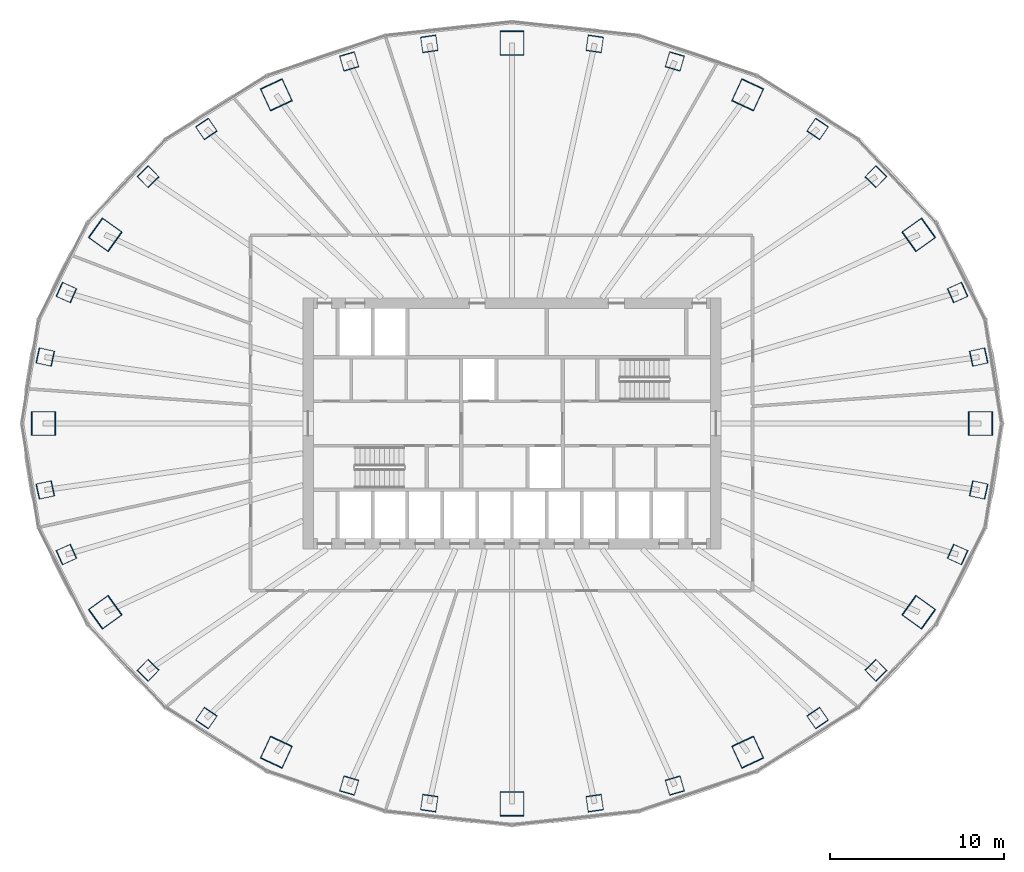
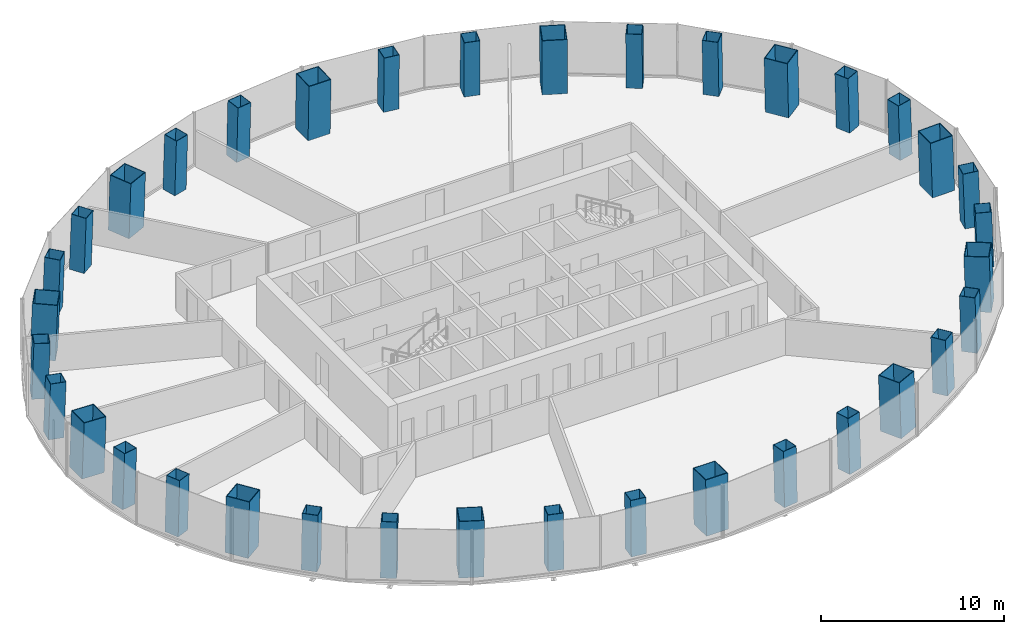
# One storey, part 1 of 11: 36 columns.
"""IFC4 building model written with IfcOpenShell, lengths in metres."""

from ifc_helpers import new_model, si_unit, direction, frame, origin, origin_2d, place, context, subcontext, project, spatial, hollow_rectangle, extrude, material, material_profile, profile_set, type_object, element, save


model = new_model("IFC4")

# Units and contexts
model_context = context("Model", 3, precision=1e-05, world=origin(), true_north=direction((0.0, 1.0)))
body_context = subcontext(model_context, "Body", "Model", "MODEL_VIEW")
ifc_project = project(units=[si_unit("LENGTHUNIT", "METRE"), si_unit("AREAUNIT", "SQUARE_METRE"), si_unit("VOLUMEUNIT", "CUBIC_METRE"), si_unit("PLANEANGLEUNIT", "RADIAN"), si_unit("MASSUNIT", "GRAM", prefix="KILO")], contexts=[model_context])

# Site, building, storey
site_placement = place(None, origin())
site = spatial("IfcSite", under=ifc_project, at=site_placement, CompositionType="ELEMENT")
building_placement = place(site_placement, origin())
building = spatial("IfcBuilding", under=site, at=building_placement, Name="Siaravel Broadcast Tower", CompositionType="ELEMENT")
storey_placement = place(building_placement, frame((0.0, 0.0, 44.5)))
storey = spatial("IfcBuildingStorey", under=building, at=storey_placement, Name="L09", CompositionType="ELEMENT", Elevation=44.5)

# Columns
ifc_material = material(Name="Concrete C70/85", Category="concrete")
ifc_material_profile_1 = material_profile(ifc_material, hollow_rectangle(XDim=1.39990234375, YDim=1.39990234375, WallThickness=0.0400390625, at=origin_2d()))
ifc_profile_set_1 = profile_set([ifc_material_profile_1], Name="Concrete C70/85")
column_type_1 = type_object("IfcColumnType", Name="COL-CFT BOX 1400x1400x40", PredefinedType="COLUMN", material=ifc_profile_set_1)
column_1_placement = place(storey_placement, frame((26.902099609375, 0.0, 0.0), z_axis=(-0.034621265, 0.0, 0.999400504), x_axis=(0.0, -1.0, 0.0)))
element("IfcColumn", 1, at=column_1_placement, inside=storey, type_object=column_type_1, Name="Megacolumn MC01", PredefinedType="COLUMN", context=body_context, shape_type="SweptSolid", body=[
    extrude(hollow_rectangle(XDim=1.39990234375, YDim=1.39990234375, WallThickness=0.0400390625, at=origin_2d()), origin(), (0.0, 0.0, 1.0), 3.7021484375),
])
column_2_placement = place(storey_placement, frame((23.351318359375, 10.834716796875, 0.0), z_axis=(-0.029940667, -0.01417895, 0.999451106), x_axis=(0.582428131, -0.812860672, 0.005916023)))
element("IfcColumn", 2, at=column_2_placement, inside=storey, type_object=column_type_1, Name="Megacolumn MC02", PredefinedType="COLUMN", context=body_context, shape_type="SweptSolid", body=[
    extrude(hollow_rectangle(XDim=1.39990234375, YDim=1.39990234375, WallThickness=0.0400390625, at=origin_2d()), origin(), (0.0, 0.0, 1.0), 3.701904296875),
])
column_3_placement = place(storey_placement, frame((13.53076171875, 18.869384765625, 0.0), z_axis=(-0.017280265, -0.024469383, 0.99955122), x_axis=(0.907021697, -0.421049606, 0.005373163)))
element("IfcColumn", 3, at=column_3_placement, inside=storey, type_object=column_type_1, Name="Megacolumn MC03", PredefinedType="COLUMN", context=body_context, shape_type="SweptSolid", body=[
    extrude(hollow_rectangle(XDim=1.39990234375, YDim=1.39990234375, WallThickness=0.0400390625, at=origin_2d()), origin(), (0.0, 0.0, 1.0), 3.70166015625),
])
column_4_placement = place(storey_placement, frame((0.0, 21.8369140625, 0.0), z_axis=(0.0, -0.02836206, 0.999597716), x_axis=(1.0, 0.0, 0.0)))
element("IfcColumn", 4, at=column_4_placement, inside=storey, type_object=column_type_1, Name="Megacolumn MC04", PredefinedType="COLUMN", context=body_context, shape_type="SweptSolid", body=[
    extrude(hollow_rectangle(XDim=1.39990234375, YDim=1.39990234375, WallThickness=0.0400390625, at=origin_2d()), origin(), (0.0, 0.0, 1.0), 3.701416015625),
])
column_5_placement = place(storey_placement, frame((-13.53076171875, 18.869384765625, 0.0), z_axis=(0.017280265, -0.024469383, 0.99955122), x_axis=(0.907021697, 0.421049606, -0.005373163)))
element("IfcColumn", 5, at=column_5_placement, inside=storey, type_object=column_type_1, Name="Megacolumn MC05", PredefinedType="COLUMN", context=body_context, shape_type="SweptSolid", body=[
    extrude(hollow_rectangle(XDim=1.39990234375, YDim=1.39990234375, WallThickness=0.0400390625, at=origin_2d()), origin(), (0.0, 0.0, 1.0), 3.70166015625),
])
column_6_placement = place(storey_placement, frame((-23.351318359375, 10.834716796875, 0.0), z_axis=(0.029940667, -0.01417895, 0.999451106), x_axis=(0.582428131, 0.812860672, -0.005916023)))
element("IfcColumn", 6, at=column_6_placement, inside=storey, type_object=column_type_1, Name="Megacolumn MC06", PredefinedType="COLUMN", context=body_context, shape_type="SweptSolid", body=[
    extrude(hollow_rectangle(XDim=1.39990234375, YDim=1.39990234375, WallThickness=0.0400390625, at=origin_2d()), origin(), (0.0, 0.0, 1.0), 3.701904296875),
])
column_7_placement = place(storey_placement, frame((-26.902099609375, 0.0, 0.0), z_axis=(0.034621265, 0.0, 0.999400504), x_axis=(0.0, 1.0, 0.0)))
element("IfcColumn", 7, at=column_7_placement, inside=storey, type_object=column_type_1, Name="Megacolumn MC07", PredefinedType="COLUMN", context=body_context, shape_type="SweptSolid", body=[
    extrude(hollow_rectangle(XDim=1.39990234375, YDim=1.39990234375, WallThickness=0.0400390625, at=origin_2d()), origin(), (0.0, 0.0, 1.0), 3.7021484375),
])
column_8_placement = place(storey_placement, frame((-23.351318359375, -10.834716796875, 0.0), z_axis=(0.029940667, 0.01417895, 0.999451106), x_axis=(-0.582428131, 0.812860672, 0.005916023)))
element("IfcColumn", 8, at=column_8_placement, inside=storey, type_object=column_type_1, Name="Megacolumn MC08", PredefinedType="COLUMN", context=body_context, shape_type="SweptSolid", body=[
    extrude(hollow_rectangle(XDim=1.39990234375, YDim=1.39990234375, WallThickness=0.0400390625, at=origin_2d()), origin(), (0.0, 0.0, 1.0), 3.701904296875),
])
column_9_placement = place(storey_placement, frame((-13.53076171875, -18.869384765625, 0.0), z_axis=(0.017280265, 0.024469383, 0.99955122), x_axis=(-0.907021697, 0.421049606, 0.005373163)))
element("IfcColumn", 9, at=column_9_placement, inside=storey, type_object=column_type_1, Name="Megacolumn MC09", PredefinedType="COLUMN", context=body_context, shape_type="SweptSolid", body=[
    extrude(hollow_rectangle(XDim=1.39990234375, YDim=1.39990234375, WallThickness=0.0400390625, at=origin_2d()), origin(), (0.0, 0.0, 1.0), 3.70166015625),
])
column_10_placement = place(storey_placement, frame((0.0, -21.8369140625, 0.0), z_axis=(0.0, 0.02836206, 0.999597716), x_axis=(-1.0, 0.0, 0.0)))
element("IfcColumn", 10, at=column_10_placement, inside=storey, type_object=column_type_1, Name="Megacolumn MC10", PredefinedType="COLUMN", context=body_context, shape_type="SweptSolid", body=[
    extrude(hollow_rectangle(XDim=1.39990234375, YDim=1.39990234375, WallThickness=0.0400390625, at=origin_2d()), origin(), (0.0, 0.0, 1.0), 3.701416015625),
])
column_11_placement = place(storey_placement, frame((13.53076171875, -18.869384765625, 0.0), z_axis=(-0.017280265, 0.024469383, 0.99955122), x_axis=(-0.907021697, -0.421049606, -0.005373163)))
element("IfcColumn", 11, at=column_11_placement, inside=storey, type_object=column_type_1, Name="Megacolumn MC11", PredefinedType="COLUMN", context=body_context, shape_type="SweptSolid", body=[
    extrude(hollow_rectangle(XDim=1.39990234375, YDim=1.39990234375, WallThickness=0.0400390625, at=origin_2d()), origin(), (0.0, 0.0, 1.0), 3.70166015625),
])
column_12_placement = place(storey_placement, frame((23.351318359375, -10.834716796875, 0.0), z_axis=(-0.029940667, 0.01417895, 0.999451106), x_axis=(-0.582428131, -0.812860672, -0.005916023)))
element("IfcColumn", 12, at=column_12_placement, inside=storey, type_object=column_type_1, Name="Megacolumn MC12", PredefinedType="COLUMN", context=body_context, shape_type="SweptSolid", body=[
    extrude(hollow_rectangle(XDim=1.39990234375, YDim=1.39990234375, WallThickness=0.0400390625, at=origin_2d()), origin(), (0.0, 0.0, 1.0), 3.701904296875),
])
ifc_material_profile_2 = material_profile(ifc_material, hollow_rectangle(XDim=0.89990234375, YDim=0.89990234375, WallThickness=0.02490234375, at=origin_2d()))
ifc_profile_set_2 = profile_set([ifc_material_profile_2], Name="Concrete C70/85")
column_type_2 = type_object("IfcColumnType", Name="COL-CFT BOX 900x900x25", PredefinedType="COLUMN", material=ifc_profile_set_2)
for number, where, z_axis, x_axis, name in (
    (13, (26.794677734375, 3.814697265625, 0.0), (-0.034093903, -0.004945924, 0.999406396), (0.212992111, -0.977050895, 0.002430756), "Perimeter column C01"),
    (14, (25.582275390625, 7.52001953125, 0.0), (-0.032511791, -0.009694185, 0.999424337), (0.409535631, -0.912283155, 0.00447347), "Perimeter column C02"),
):
    element("IfcColumn", number, at=place(storey_placement, frame(where, z_axis=z_axis, x_axis=x_axis)), inside=storey, type_object=column_type_2, Name=name, PredefinedType="COLUMN", context=body_context, shape_type="SweptSolid", body=[
        extrude(hollow_rectangle(XDim=0.89990234375, YDim=0.89990234375, WallThickness=0.02490234375, at=origin_2d()), origin(), (0.0, 0.0, 1.0), 3.7021484375),
    ])
column_13_placement = place(storey_placement, frame((20.89208984375, 14.171142578125, 0.0), z_axis=(-0.026512147, -0.01826832, 0.999481553), x_axis=(0.720586322, -0.693335315, 0.006441559)))
element("IfcColumn", 15, at=column_13_placement, inside=storey, type_object=column_type_2, Name="Perimeter column C03", PredefinedType="COLUMN", context=body_context, shape_type="SweptSolid", body=[
    extrude(hollow_rectangle(XDim=0.89990234375, YDim=0.89990234375, WallThickness=0.02490234375, at=origin_2d()), origin(), (0.0, 0.0, 1.0), 3.701904296875),
])
column_14_placement = place(storey_placement, frame((17.54638671875, 16.911376953125, 0.0), z_axis=(-0.022292076, -0.0216985, 0.999516002), x_axis=(0.826824084, -0.562426093, 0.006230838)))
element("IfcColumn", 16, at=column_14_placement, inside=storey, type_object=column_type_2, Name="Perimeter column C04", PredefinedType="COLUMN", context=body_context, shape_type="SweptSolid", body=[
    extrude(hollow_rectangle(XDim=0.89990234375, YDim=0.89990234375, WallThickness=0.02490234375, at=origin_2d()), origin(), (0.0, 0.0, 1.0), 3.70166015625),
])
for number, where, z_axis, x_axis, name in (
    (17, (9.3486328125, 20.787109375, 0.0), (-0.011806266, -0.026646544, 0.999575197), (0.959867378, -0.280427716, 0.00386166), "Perimeter column C05"),
    (18, (4.748291015625, 21.796630859375, 0.0), (-0.006068129, -0.027900201, 0.999592295), (0.989771581, -0.1426468, 0.002027013), "Perimeter column C06"),
    (19, (-4.748291015625, 21.796630859375, 0.0), (0.006068129, -0.027900201, 0.999592295), (0.989771581, 0.1426468, -0.002027013), "Perimeter column C07"),
    (20, (-9.3486328125, 20.787109375, 0.0), (0.011806266, -0.026646544, 0.999575197), (0.959867378, 0.280427716, -0.00386166), "Perimeter column C08"),
):
    element("IfcColumn", number, at=place(storey_placement, frame(where, z_axis=z_axis, x_axis=x_axis)), inside=storey, type_object=column_type_2, Name=name, PredefinedType="COLUMN", context=body_context, shape_type="SweptSolid", body=[
        extrude(hollow_rectangle(XDim=0.89990234375, YDim=0.89990234375, WallThickness=0.02490234375, at=origin_2d()), origin(), (0.0, 0.0, 1.0), 3.701416015625),
    ])
column_15_placement = place(storey_placement, frame((-17.54638671875, 16.911376953125, 0.0), z_axis=(0.022292076, -0.0216985, 0.999516002), x_axis=(0.826824084, 0.562426093, -0.006230838)))
element("IfcColumn", 21, at=column_15_placement, inside=storey, type_object=column_type_2, Name="Perimeter column C09", PredefinedType="COLUMN", context=body_context, shape_type="SweptSolid", body=[
    extrude(hollow_rectangle(XDim=0.89990234375, YDim=0.89990234375, WallThickness=0.02490234375, at=origin_2d()), origin(), (0.0, 0.0, 1.0), 3.70166015625),
])
column_16_placement = place(storey_placement, frame((-20.89208984375, 14.171142578125, 0.0), z_axis=(0.026512147, -0.01826832, 0.999481553), x_axis=(0.720586322, 0.693335315, -0.006441559)))
element("IfcColumn", 22, at=column_16_placement, inside=storey, type_object=column_type_2, Name="Perimeter column C10", PredefinedType="COLUMN", context=body_context, shape_type="SweptSolid", body=[
    extrude(hollow_rectangle(XDim=0.89990234375, YDim=0.89990234375, WallThickness=0.02490234375, at=origin_2d()), origin(), (0.0, 0.0, 1.0), 3.701904296875),
])
for number, where, z_axis, x_axis, name in (
    (23, (-25.582275390625, 7.52001953125, 0.0), (0.032511791, -0.009694185, 0.999424337), (0.409535631, 0.912283155, -0.00447347), "Perimeter column C11"),
    (24, (-26.794677734375, 3.814697265625, 0.0), (0.034093903, -0.004945924, 0.999406396), (0.212992111, 0.977050895, -0.002430756), "Perimeter column C12"),
    (25, (-26.794677734375, -3.814697265625, 0.0), (0.034093903, 0.004945924, 0.999406396), (-0.212992111, 0.977050895, 0.002430756), "Perimeter column C13"),
    (26, (-25.582275390625, -7.52001953125, 0.0), (0.032511791, 0.009694185, 0.999424337), (-0.409535631, 0.912283155, 0.00447347), "Perimeter column C14"),
):
    element("IfcColumn", number, at=place(storey_placement, frame(where, z_axis=z_axis, x_axis=x_axis)), inside=storey, type_object=column_type_2, Name=name, PredefinedType="COLUMN", context=body_context, shape_type="SweptSolid", body=[
        extrude(hollow_rectangle(XDim=0.89990234375, YDim=0.89990234375, WallThickness=0.02490234375, at=origin_2d()), origin(), (0.0, 0.0, 1.0), 3.7021484375),
    ])
column_17_placement = place(storey_placement, frame((-20.89208984375, -14.171142578125, 0.0), z_axis=(0.026512147, 0.01826832, 0.999481553), x_axis=(-0.720586322, 0.693335315, 0.006441559)))
element("IfcColumn", 27, at=column_17_placement, inside=storey, type_object=column_type_2, Name="Perimeter column C15", PredefinedType="COLUMN", context=body_context, shape_type="SweptSolid", body=[
    extrude(hollow_rectangle(XDim=0.89990234375, YDim=0.89990234375, WallThickness=0.02490234375, at=origin_2d()), origin(), (0.0, 0.0, 1.0), 3.701904296875),
])
column_18_placement = place(storey_placement, frame((-17.54638671875, -16.911376953125, 0.0), z_axis=(0.022292076, 0.0216985, 0.999516002), x_axis=(-0.826824084, 0.562426093, 0.006230838)))
element("IfcColumn", 28, at=column_18_placement, inside=storey, type_object=column_type_2, Name="Perimeter column C16", PredefinedType="COLUMN", context=body_context, shape_type="SweptSolid", body=[
    extrude(hollow_rectangle(XDim=0.89990234375, YDim=0.89990234375, WallThickness=0.02490234375, at=origin_2d()), origin(), (0.0, 0.0, 1.0), 3.70166015625),
])
for number, where, z_axis, x_axis, name in (
    (29, (-9.3486328125, -20.787109375, 0.0), (0.011806266, 0.026646544, 0.999575197), (-0.959867378, 0.280427716, 0.00386166), "Perimeter column C17"),
    (30, (-4.748291015625, -21.796630859375, 0.0), (0.006068129, 0.027900201, 0.999592295), (-0.989771581, 0.1426468, 0.002027013), "Perimeter column C18"),
    (31, (4.748291015625, -21.796630859375, 0.0), (-0.006068129, 0.027900201, 0.999592295), (-0.989771581, -0.1426468, -0.002027013), "Perimeter column C19"),
    (32, (9.3486328125, -20.787109375, 0.0), (-0.011806266, 0.026646544, 0.999575197), (-0.959867378, -0.280427716, -0.00386166), "Perimeter column C20"),
):
    element("IfcColumn", number, at=place(storey_placement, frame(where, z_axis=z_axis, x_axis=x_axis)), inside=storey, type_object=column_type_2, Name=name, PredefinedType="COLUMN", context=body_context, shape_type="SweptSolid", body=[
        extrude(hollow_rectangle(XDim=0.89990234375, YDim=0.89990234375, WallThickness=0.02490234375, at=origin_2d()), origin(), (0.0, 0.0, 1.0), 3.701416015625),
    ])
column_19_placement = place(storey_placement, frame((17.54638671875, -16.911376953125, 0.0), z_axis=(-0.022292076, 0.0216985, 0.999516002), x_axis=(-0.826824084, -0.562426093, -0.006230838)))
element("IfcColumn", 33, at=column_19_placement, inside=storey, type_object=column_type_2, Name="Perimeter column C21", PredefinedType="COLUMN", context=body_context, shape_type="SweptSolid", body=[
    extrude(hollow_rectangle(XDim=0.89990234375, YDim=0.89990234375, WallThickness=0.02490234375, at=origin_2d()), origin(), (0.0, 0.0, 1.0), 3.70166015625),
])
column_20_placement = place(storey_placement, frame((20.89208984375, -14.171142578125, 0.0), z_axis=(-0.026512147, 0.01826832, 0.999481553), x_axis=(-0.720586322, -0.693335315, -0.006441559)))
element("IfcColumn", 34, at=column_20_placement, inside=storey, type_object=column_type_2, Name="Perimeter column C22", PredefinedType="COLUMN", context=body_context, shape_type="SweptSolid", body=[
    extrude(hollow_rectangle(XDim=0.89990234375, YDim=0.89990234375, WallThickness=0.02490234375, at=origin_2d()), origin(), (0.0, 0.0, 1.0), 3.701904296875),
])
for number, where, z_axis, x_axis, name in (
    (35, (25.582275390625, -7.52001953125, 0.0), (-0.032511791, 0.009694185, 0.999424337), (-0.409535631, -0.912283155, -0.00447347), "Perimeter column C23"),
    (36, (26.794677734375, -3.814697265625, 0.0), (-0.034093903, 0.004945924, 0.999406396), (-0.212992111, -0.977050895, -0.002430756), "Perimeter column C24"),
):
    element("IfcColumn", number, at=place(storey_placement, frame(where, z_axis=z_axis, x_axis=x_axis)), inside=storey, type_object=column_type_2, Name=name, PredefinedType="COLUMN", context=body_context, shape_type="SweptSolid", body=[
        extrude(hollow_rectangle(XDim=0.89990234375, YDim=0.89990234375, WallThickness=0.02490234375, at=origin_2d()), origin(), (0.0, 0.0, 1.0), 3.7021484375),
    ])

save(model, "model.ifc")
